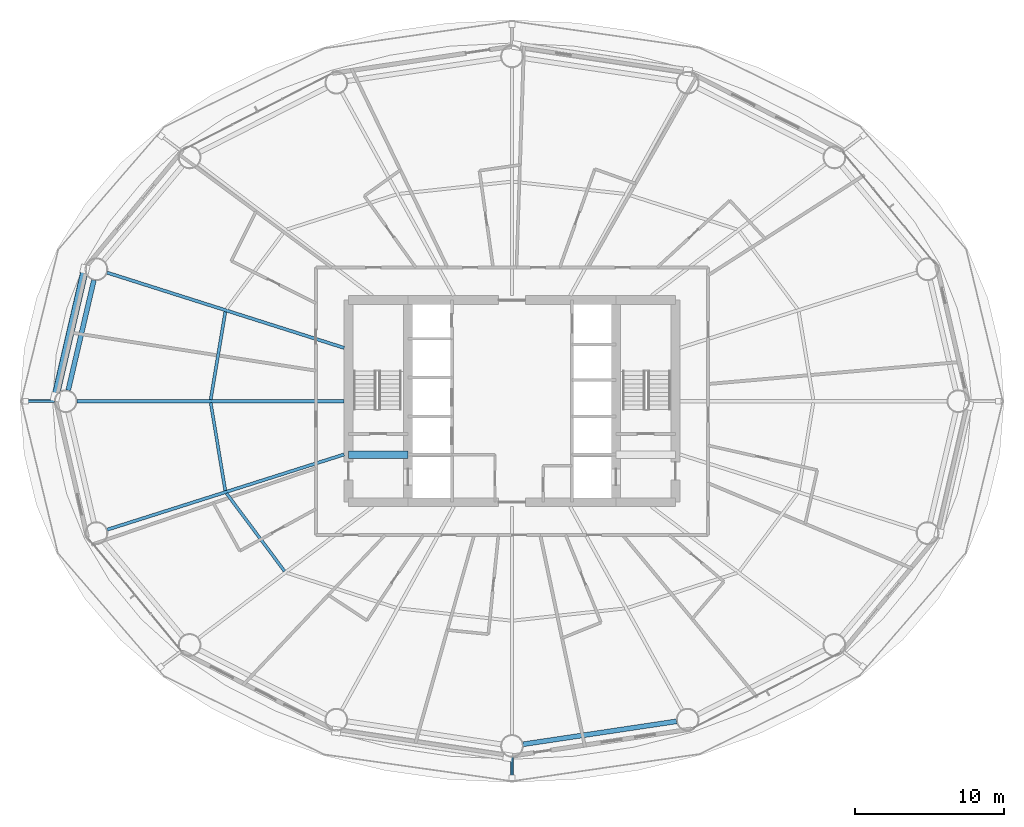
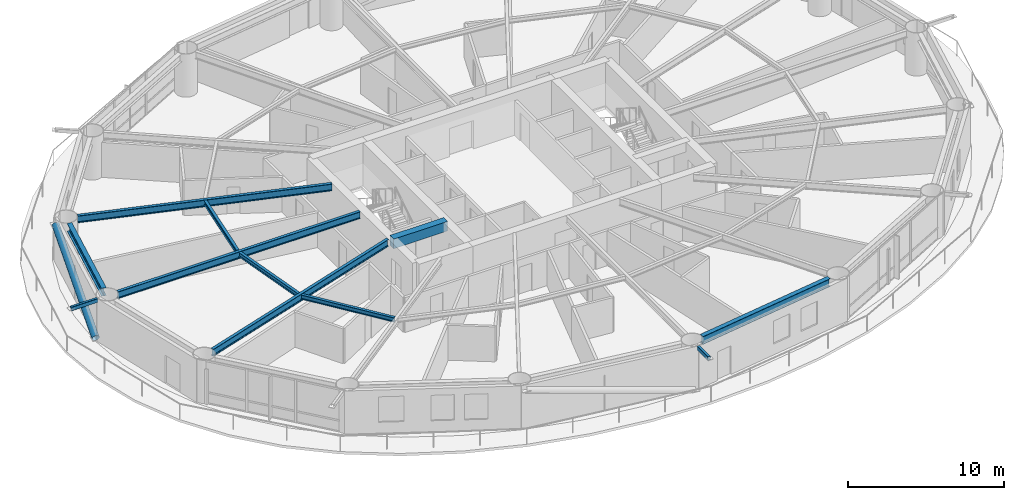
# One storey, part 5 of 26: 9 beams, 3 members.
"""IFC4 building model written with IfcOpenShell, lengths in metres."""

from ifc_helpers import new_model, si_unit, direction, frame, origin, origin_2d, place, context, subcontext, project, spatial, rectangle, hollow_rectangle, hollow_circle, i_section, extrude, material, material_profile, profile_set, type_object, element, save


model = new_model("IFC4")

# Units and contexts
model_context = context("Model", 3, precision=1e-05, world=origin(), true_north=direction((0.0, 1.0)))
body_context = subcontext(model_context, "Body", "Model", "MODEL_VIEW")
ifc_project = project(units=[si_unit("LENGTHUNIT", "METRE"), si_unit("AREAUNIT", "SQUARE_METRE"), si_unit("VOLUMEUNIT", "CUBIC_METRE"), si_unit("PLANEANGLEUNIT", "RADIAN"), si_unit("MASSUNIT", "GRAM", prefix="KILO")], contexts=[model_context])

# Site, building, storey
site_placement = place(None, origin())
site = spatial("IfcSite", under=ifc_project, at=site_placement, CompositionType="ELEMENT")
building_placement = place(site_placement, origin())
building = spatial("IfcBuilding", under=site, at=building_placement, Name="Sarneth Arch Tower", CompositionType="ELEMENT")
storey_placement = place(building_placement, frame((0.0, 0.0, 35.39990234375)))
storey = spatial("IfcBuildingStorey", under=building, at=storey_placement, Name="L07", CompositionType="ELEMENT", Elevation=35.39990234375)

# Beams
ifc_material_1 = material(Name="Steel S355", Category="steel")
ifc_material_profile_1 = material_profile(ifc_material_1, i_section(OverallWidth=0.202880859375, OverallDepth=0.346923828125, WebThickness=0.0078125, FlangeThickness=0.013427734375, FilletRadius=0.014892578125, at=origin_2d()), Name="W360x64")
ifc_profile_set_1 = profile_set([ifc_material_profile_1], Name="Steel S355")
beam_type_1 = type_object("IfcBeamType", Name="BM-JOIST-360C", PredefinedType="JOIST", material=ifc_profile_set_1)
for number, where, z_axis, x_axis, name in (
    (1, (28.70703125, 48.013916015625, 3.20654296875), (-0.16394288124, -0.986469833138, 0.0), (0.986469833138, -0.16394288124, 0.0), "L07 Secondary floor joist 08"),
    (2, (27.72509765625, 41.89453125, 3.20654296875), (0.16394288124, -0.986469833138, 0.0), (0.986469833138, 0.16394288124, 0.0), "L07 Secondary floor joist 09"),
):
    element("IfcBeam", number, at=place(storey_placement, frame(where, z_axis=z_axis, x_axis=x_axis)), inside=storey, type_object=beam_type_1, Name=name, PredefinedType="JOIST", context=body_context, shape_type="SweptSolid", body=[
        extrude(i_section(OverallWidth=0.202880859375, OverallDepth=0.346923828125, WebThickness=0.0078125, FlangeThickness=0.013427734375, FilletRadius=0.014892578125, at=origin_2d()), origin(), (0.0, 0.0, 1.0), 5.989501953125),
    ])
beam_1_placement = place(storey_placement, frame((28.78857421875, 35.794921875, 3.20654296875), z_axis=(0.597700490469, -0.801719479428, 0.0), x_axis=(0.801719479428, 0.597700490469, 0.0)))
element("IfcBeam", 3, at=beam_1_placement, inside=storey, type_object=beam_type_1, Name="L07 Secondary floor joist 10", PredefinedType="JOIST", context=body_context, shape_type="SweptSolid", body=[
    extrude(i_section(OverallWidth=0.202880859375, OverallDepth=0.346923828125, WebThickness=0.0078125, FlangeThickness=0.013427734375, FilletRadius=0.014892578125, at=origin_2d()), origin(), (0.0, 0.0, 1.0), 6.5302734375),
])
ifc_material_2 = material(Name="Concrete C50/60", Category="concrete")
ifc_material_profile_2 = material_profile(ifc_material_2, rectangle(XDim=0.5, YDim=0.75, at=origin_2d()), Name="RC-500x750")
ifc_profile_set_2 = profile_set([ifc_material_profile_2], Name="Concrete C50/60")
beam_type_2 = type_object("IfcBeamType", Name="BM-LINTEL-RC", PredefinedType="LINTEL", material=ifc_profile_set_2)
beam_2_placement = place(storey_placement, frame((37.0, 38.39990234375, 3.005126953125), z_axis=(1.0, 0.0, 0.0), x_axis=(0.0, 1.0, 0.0)))
element("IfcBeam", 4, at=beam_2_placement, inside=storey, type_object=beam_type_2, Name="L07 Core coupling lintel W", PredefinedType="LINTEL", context=body_context, shape_type="SweptSolid", body=[
    extrude(rectangle(XDim=0.5, YDim=0.75, at=origin_2d()), origin(), (0.0, 0.0, 1.0), 4.0),
])
ifc_material_3 = material(Name="Steel S355", Category="steel")
ifc_material_profile_3 = material_profile(ifc_material_3, i_section(OverallWidth=0.214111328125, OverallDepth=0.549072265625, WebThickness=0.0146484375, FlangeThickness=0.023681640625, FilletRadius=0.01806640625, at=origin_2d()), Name="W530x138")
ifc_profile_set_3 = profile_set([ifc_material_profile_3], Name="Steel S355")
beam_type_3 = type_object("IfcBeamType", Name="BM-RAD-530A", PredefinedType="BEAM", material=ifc_profile_set_3)
beam_3_placement = place(storey_placement, frame((36.699951171875, 45.58740234375, 3.105712890625), z_axis=(-0.953119859464, 0.30259301627, 0.0), x_axis=(-0.30259301627, -0.953119859464, 0.0)))
element("IfcBeam", 5, at=beam_3_placement, inside=storey, type_object=beam_type_3, Name="L07 Radial floor girder 08", PredefinedType="BEAM", context=body_context, shape_type="SweptSolid", body=[
    extrude(i_section(OverallWidth=0.214111328125, OverallDepth=0.549072265625, WebThickness=0.0146484375, FlangeThickness=0.023681640625, FilletRadius=0.01806640625, at=origin_2d()), origin(), (0.0, 0.0, 1.0), 16.7353515625),
])
beam_4_placement = place(storey_placement, frame((36.699951171875, 42.0, 3.105712890625), z_axis=(-1.0, 0.0, 0.0), x_axis=(0.0, -1.0, 0.0)))
element("IfcBeam", 6, at=beam_4_placement, inside=storey, type_object=beam_type_3, Name="L07 Radial floor girder 09", PredefinedType="BEAM", context=body_context, shape_type="SweptSolid", body=[
    extrude(i_section(OverallWidth=0.214111328125, OverallDepth=0.549072265625, WebThickness=0.0146484375, FlangeThickness=0.023681640625, FilletRadius=0.01806640625, at=origin_2d()), origin(), (0.0, 0.0, 1.0), 17.98486328125),
])
beam_5_placement = place(storey_placement, frame((36.699951171875, 38.41259765625, 3.105712890625), z_axis=(-0.953119859464, -0.30259301627, 0.0), x_axis=(0.30259301627, -0.953119859464, 0.0)))
element("IfcBeam", 7, at=beam_5_placement, inside=storey, type_object=beam_type_3, Name="L07 Radial floor girder 10", PredefinedType="BEAM", context=body_context, shape_type="SweptSolid", body=[
    extrude(i_section(OverallWidth=0.214111328125, OverallDepth=0.549072265625, WebThickness=0.0146484375, FlangeThickness=0.023681640625, FilletRadius=0.01806640625, at=origin_2d()), origin(), (0.0, 0.0, 1.0), 16.7353515625),
])
ifc_material_4 = material(Name="Steel S355", Category="steel")
ifc_material_profile_4 = material_profile(ifc_material_4, i_section(OverallWidth=0.326904296875, OverallDepth=0.6220703125, WebThickness=0.015380859375, FlangeThickness=0.0244140625, FilletRadius=0.01904296875, at=origin_2d()), Name="W610x195")
ifc_profile_set_4 = profile_set([ifc_material_profile_4], Name="Steel S355")
beam_type_4 = type_object("IfcBeamType", Name="BM-SPAN-610A", PredefinedType="SPANDREL", material=ifc_profile_set_4)
beam_6_placement = place(storey_placement, frame((19.8642578125, 50.14794921875, 3.069091796875), z_axis=(-0.226982354826, -0.973898870827, 0.0), x_axis=(0.973898870827, -0.226982354826, 0.0)))
element("IfcBeam", 8, at=beam_6_placement, inside=storey, type_object=beam_type_4, Name="L07 Perimeter spandrel beam 08", PredefinedType="SPANDREL", context=body_context, shape_type="SweptSolid", body=[
    extrude(i_section(OverallWidth=0.326904296875, OverallDepth=0.6220703125, WebThickness=0.015380859375, FlangeThickness=0.0244140625, FilletRadius=0.01904296875, at=origin_2d()), origin(), (0.0, 0.0, 1.0), 7.6162109375),
])
beam_7_placement = place(storey_placement, frame((48.74169921875, 18.910888671875, 3.069091796875), z_axis=(0.989020169581, 0.147780594675, 0.0), x_axis=(-0.147780594675, 0.989020169581, 0.0)))
element("IfcBeam", 9, at=beam_7_placement, inside=storey, type_object=beam_type_4, Name="L07 Perimeter spandrel beam 13", PredefinedType="SPANDREL", context=body_context, shape_type="SweptSolid", body=[
    extrude(i_section(OverallWidth=0.326904296875, OverallDepth=0.6220703125, WebThickness=0.015380859375, FlangeThickness=0.0244140625, FilletRadius=0.01904296875, at=origin_2d()), origin(), (0.0, 0.0, 1.0), 10.44921875),
])

# Members
ifc_material_5 = material(Name="Steel S355", Category="steel")
ifc_material_profile_5 = material_profile(ifc_material_5, hollow_rectangle(XDim=0.199951171875, YDim=0.300048828125, WallThickness=0.012451171875, InnerFilletRadius=0.018798828125, OuterFilletRadius=0.03125, at=origin_2d()), Name="RHS300x200x12.5")
ifc_profile_set_5 = profile_set([ifc_material_profile_5], Name="Steel S355")
member_type_1 = type_object("IfcMemberType", Name="MEM-CANT-STRUT", PredefinedType="STRUT", material=ifc_profile_set_5)
member_1_placement = place(storey_placement, frame((17.215087890625, 42.0, 3.22021484375), z_axis=(-1.0, 0.0, 0.0), x_axis=(0.0, -1.0, 0.0)))
element("IfcMember", 10, at=member_1_placement, inside=storey, type_object=member_type_1, Name="L07 Balcony cantilever bracket 09", PredefinedType="STRUT", context=body_context, shape_type="SweptSolid", body=[
    extrude(hollow_rectangle(XDim=0.199951171875, YDim=0.300048828125, WallThickness=0.012451171875, InnerFilletRadius=0.018798828125, OuterFilletRadius=0.03125, at=origin_2d()), origin(), (0.0, 0.0, 1.0), 1.948486328125),
])
member_2_placement = place(storey_placement, frame((48.0, 18.050048828125, 3.22021484375), z_axis=(0.0, -1.0, 0.0), x_axis=(1.0, 0.0, 0.0)))
element("IfcMember", 11, at=member_2_placement, inside=storey, type_object=member_type_1, Name="L07 Balcony cantilever bracket 13", PredefinedType="STRUT", context=body_context, shape_type="SweptSolid", body=[
    extrude(hollow_rectangle(XDim=0.199951171875, YDim=0.300048828125, WallThickness=0.012451171875, InnerFilletRadius=0.018798828125, OuterFilletRadius=0.03125, at=origin_2d()), origin(), (0.0, 0.0, 1.0), 1.401611328125),
])
ifc_material_6 = material(Name="Steel S355", Category="steel")
ifc_material_profile_6 = material_profile(ifc_material_6, hollow_circle(Radius=0.25390625, WallThickness=0.01611328125, at=origin_2d()), Name="CHS508x16")
ifc_profile_set_6 = profile_set([ifc_material_profile_6], Name="Steel S355")
member_type_2 = type_object("IfcMemberType", Name="MEM-DIAG-BR1", PredefinedType="BRACE", material=ifc_profile_set_6)
member_3_placement = place(storey_placement, frame((17.274658203125, 42.292236328125, 0.02001953125), z_axis=(0.213332307958, 0.922814312474, 0.320785085492), x_axis=(-0.974304339016, 0.225235554419, 0.0)))
element("IfcMember", 12, at=member_3_placement, inside=storey, type_object=member_type_2, Name="L07 Perimeter frame diagonal 08", PredefinedType="BRACE", context=body_context, shape_type="SweptSolid", body=[
    extrude(hollow_circle(Radius=0.25390625, WallThickness=0.01611328125, at=origin_2d()), origin(), (0.0, 0.0, 1.0), 9.31103515625),
])

save(model, "model.ifc")
